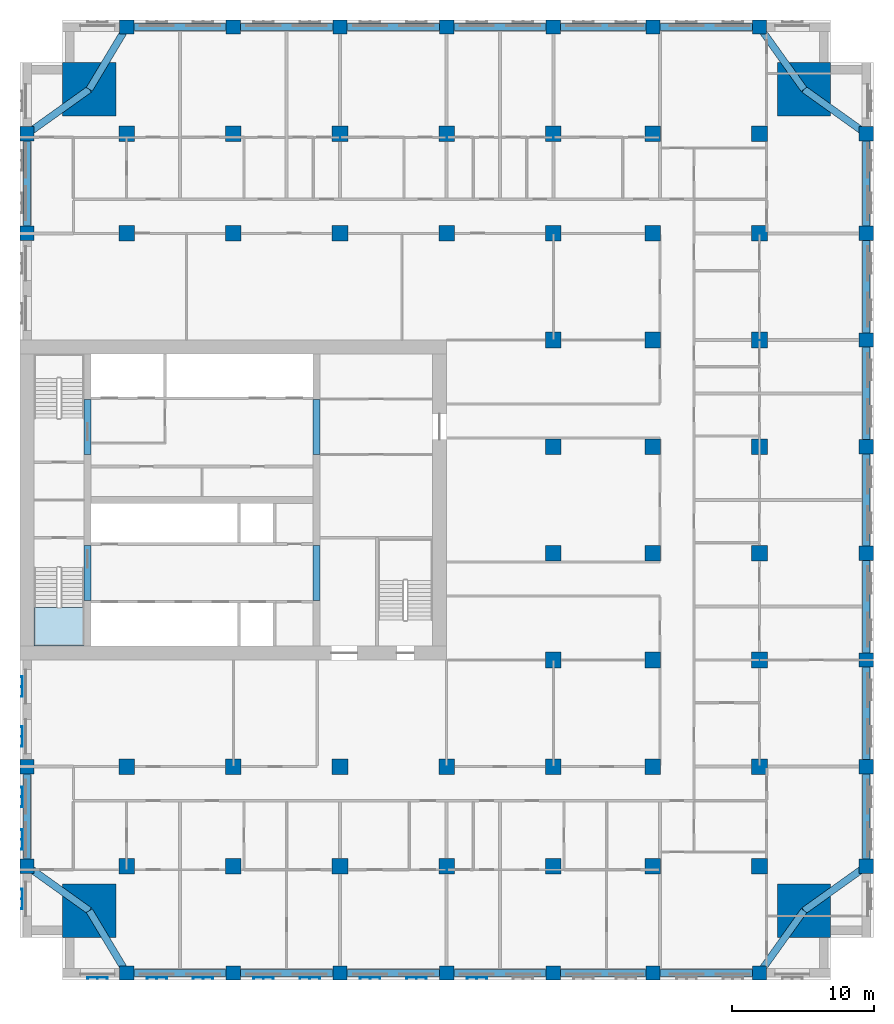
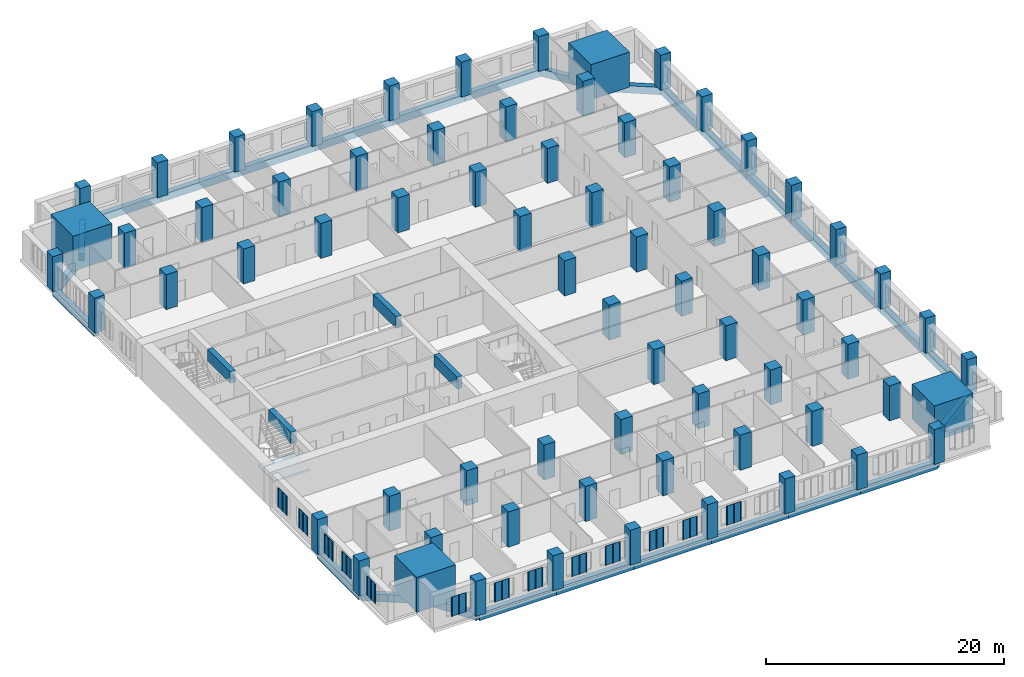
# One storey, part 1 of 14: 70 columns, 33 beams, 13 plates, 1 slab, 1 element without a shape of its own.
"""IFC4 building model written with IfcOpenShell, lengths in metres."""

from ifc_helpers import new_model, si_unit, direction, frame, origin, origin_2d, place, context, subcontext, project, spatial, polyline, rectangle, outline, extrude, material, layer, layer_set, material_profile, profile_set, type_object, element, aggregate, save


model = new_model("IFC4")

# Units and contexts
model_context = context("Model", 3, precision=1e-05, world=origin(), true_north=direction((0.0, 1.0)))
body_context = subcontext(model_context, "Body", "Model", "MODEL_VIEW")
ifc_project = project(units=[si_unit("LENGTHUNIT", "METRE"), si_unit("AREAUNIT", "SQUARE_METRE"), si_unit("VOLUMEUNIT", "CUBIC_METRE"), si_unit("PLANEANGLEUNIT", "RADIAN"), si_unit("MASSUNIT", "GRAM", prefix="KILO")], contexts=[model_context])

# Site, building, storey
site_placement = place(None, origin())
site = spatial("IfcSite", under=ifc_project, at=site_placement, CompositionType="ELEMENT")
building_placement = place(site_placement, origin())
building = spatial("IfcBuilding", under=site, at=building_placement, Name="Tamorin Gate", CompositionType="ELEMENT")
storey_placement = place(building_placement, frame((0.0, 0.0, 107.89990234375)))
storey = spatial("IfcBuildingStorey", under=building, at=storey_placement, Name="L26", CompositionType="ELEMENT", Elevation=107.89990234375)

# Columns
ifc_material_1 = material(Name="Concrete C80/95", Category="concrete")
ifc_material_profile_1 = material_profile(ifc_material_1, rectangle(XDim=1.0, YDim=1.0, at=origin_2d()), Name="RC 1000x1000")
ifc_profile_set_1 = profile_set([ifc_material_profile_1], Name="Concrete C80/95")
column_type_1 = type_object("IfcColumnType", Name="RC column 1000x1000 C80/95", PredefinedType="COLUMN", material=ifc_profile_set_1)
for number, where, z_axis, x_axis, name in (
    (1, (30.5, 45.5, 0.0), (0.0, 0.0, 1.0), (1.0, 0.0, 0.0), "Ring column L26"),
    (2, (30.5, 52.5, 0.0), (0.0, 0.0, 1.0), (1.0, 0.0, 0.0), "Ring column L26"),
    (3, (30.5, 90.0, 0.0), (0.0, 0.0, 1.0), (1.0, 0.0, 0.0), "Ring column L26"),
    (4, (30.5, 97.0, 0.0), (0.0, 0.0, 1.0), (1.0, 0.0, 0.0), "Ring column L26"),
    (5, (37.5, 38.0, 0.0), (0.0, 0.0, 1.0), (1.0, 0.0, 0.0), "Ring column L26"),
    (6, (37.5, 104.5, 0.0), (0.0, 0.0, 1.0), (1.0, 0.0, 0.0), "Ring column L26"),
    (7, (45.0, 38.0, 0.0), (0.0, 0.0, 1.0), (1.0, 0.0, 0.0), "Ring column L26"),
    (8, (45.0, 104.5, 0.0), (0.0, 0.0, 1.0), (1.0, 0.0, 0.0), "Ring column L26"),
    (9, (52.5, 38.0, 0.0), (0.0, 0.0, 1.0), (1.0, 0.0, 0.0), "Ring column L26"),
    (10, (52.5, 104.5, 0.0), (0.0, 0.0, 1.0), (1.0, 0.0, 0.0), "Ring column L26"),
    (11, (60.0, 38.0, 0.0), (0.0, 0.0, 1.0), (1.0, 0.0, 0.0), "Ring column L26"),
    (12, (60.0, 104.5, 0.0), (0.0, 0.0, 1.0), (1.0, 0.0, 0.0), "Ring column L26"),
    (13, (67.5, 38.0, 0.0), (0.0, 0.0, 1.0), (1.0, 0.0, 0.0), "Ring column L26"),
    (14, (67.5, 104.5, 0.0), (0.0, 0.0, 1.0), (1.0, 0.0, 0.0), "Ring column L26"),
    (15, (74.5, 38.0, 0.0), (0.0, 0.0, 1.0), (1.0, 0.0, 0.0), "Ring column L26"),
    (16, (74.5, 104.5, 0.0), (0.0, 0.0, 1.0), (1.0, 0.0, 0.0), "Ring column L26"),
    (17, (82.0, 38.0, 0.0), (0.0, 0.0, 1.0), (1.0, 0.0, 0.0), "Ring column L26"),
    (18, (82.0, 104.5, 0.0), (0.0, 0.0, 1.0), (1.0, 0.0, 0.0), "Ring column L26"),
    (19, (89.5, 45.5, 0.0), (0.0, 0.0, 1.0), (1.0, 0.0, 0.0), "Ring column L26"),
    (20, (89.5, 52.5, 0.0), (0.0, 0.0, 1.0), (1.0, 0.0, 0.0), "Ring column L26"),
    (21, (89.5, 60.0, 0.0), (0.0, 0.0, 1.0), (1.0, 0.0, 0.0), "Ring column L26"),
    (22, (89.5, 67.5, 0.0), (0.0, 0.0, 1.0), (1.0, 0.0, 0.0), "Ring column L26"),
    (23, (89.5, 75.0, 0.0), (0.0, 0.0, 1.0), (1.0, 0.0, 0.0), "Ring column L26"),
    (24, (89.5, 82.5, 0.0), (0.0, 0.0, 1.0), (1.0, 0.0, 0.0), "Ring column L26"),
    (25, (89.5, 90.0, 0.0), (0.0, 0.0, 1.0), (1.0, 0.0, 0.0), "Ring column L26"),
    (26, (89.5, 97.0, 0.0), (0.0, 0.0, 1.0), (1.0, 0.0, 0.0), "Ring column L26"),
):
    element("IfcColumn", number, at=place(storey_placement, frame(where, z_axis=z_axis, x_axis=x_axis)), inside=storey, type_object=column_type_1, Name=name, PredefinedType="COLUMN", context=body_context, shape_type="SweptSolid", body=[
        extrude(rectangle(XDim=1.0, YDim=1.0, at=origin_2d()), origin(), (0.0, 0.0, 1.0), 3.60009765625),
    ])
ifc_material_profile_2 = material_profile(ifc_material_1, rectangle(XDim=1.10009765625, YDim=1.10009765625, at=origin_2d()), Name="RC 1100x1100")
ifc_profile_set_2 = profile_set([ifc_material_profile_2], Name="Concrete C80/95")
column_type_2 = type_object("IfcColumnType", Name="RC column 1100x1100 C80/95", PredefinedType="COLUMN", material=ifc_profile_set_2)
for number, where, z_axis, x_axis, name in (
    (27, (37.5, 45.5, 0.0), (0.0, 0.0, 1.0), (1.0, 0.0, 0.0), "Interior column L26"),
    (28, (37.5, 52.5, 0.0), (0.0, 0.0, 1.0), (1.0, 0.0, 0.0), "Interior column L26"),
    (29, (37.5, 90.0, 0.0), (0.0, 0.0, 1.0), (1.0, 0.0, 0.0), "Interior column L26"),
    (30, (37.5, 97.0, 0.0), (0.0, 0.0, 1.0), (1.0, 0.0, 0.0), "Interior column L26"),
    (31, (45.0, 45.5, 0.0), (0.0, 0.0, 1.0), (1.0, 0.0, 0.0), "Interior column L26"),
    (32, (45.0, 52.5, 0.0), (0.0, 0.0, 1.0), (1.0, 0.0, 0.0), "Interior column L26"),
    (33, (45.0, 90.0, 0.0), (0.0, 0.0, 1.0), (1.0, 0.0, 0.0), "Interior column L26"),
    (34, (45.0, 97.0, 0.0), (0.0, 0.0, 1.0), (1.0, 0.0, 0.0), "Interior column L26"),
    (35, (52.5, 45.5, 0.0), (0.0, 0.0, 1.0), (1.0, 0.0, 0.0), "Interior column L26"),
    (36, (52.5, 52.5, 0.0), (0.0, 0.0, 1.0), (1.0, 0.0, 0.0), "Interior column L26"),
    (37, (52.5, 90.0, 0.0), (0.0, 0.0, 1.0), (1.0, 0.0, 0.0), "Interior column L26"),
    (38, (52.5, 97.0, 0.0), (0.0, 0.0, 1.0), (1.0, 0.0, 0.0), "Interior column L26"),
    (39, (60.0, 45.5, 0.0), (0.0, 0.0, 1.0), (1.0, 0.0, 0.0), "Interior column L26"),
    (40, (60.0, 52.5, 0.0), (0.0, 0.0, 1.0), (1.0, 0.0, 0.0), "Interior column L26"),
    (41, (60.0, 90.0, 0.0), (0.0, 0.0, 1.0), (1.0, 0.0, 0.0), "Interior column L26"),
    (42, (60.0, 97.0, 0.0), (0.0, 0.0, 1.0), (1.0, 0.0, 0.0), "Interior column L26"),
    (43, (67.5, 45.5, 0.0), (0.0, 0.0, 1.0), (1.0, 0.0, 0.0), "Interior column L26"),
    (44, (67.5, 52.5, 0.0), (0.0, 0.0, 1.0), (1.0, 0.0, 0.0), "Interior column L26"),
    (45, (67.5, 60.0, 0.0), (0.0, 0.0, 1.0), (1.0, 0.0, 0.0), "Interior column L26"),
    (46, (67.5, 67.5, 0.0), (0.0, 0.0, 1.0), (1.0, 0.0, 0.0), "Interior column L26"),
    (47, (67.5, 75.0, 0.0), (0.0, 0.0, 1.0), (1.0, 0.0, 0.0), "Interior column L26"),
    (48, (67.5, 82.5, 0.0), (0.0, 0.0, 1.0), (1.0, 0.0, 0.0), "Interior column L26"),
    (49, (67.5, 90.0, 0.0), (0.0, 0.0, 1.0), (1.0, 0.0, 0.0), "Interior column L26"),
    (50, (67.5, 97.0, 0.0), (0.0, 0.0, 1.0), (1.0, 0.0, 0.0), "Interior column L26"),
    (51, (74.5, 45.5, 0.0), (0.0, 0.0, 1.0), (1.0, 0.0, 0.0), "Interior column L26"),
    (52, (74.5, 52.5, 0.0), (0.0, 0.0, 1.0), (1.0, 0.0, 0.0), "Interior column L26"),
    (53, (74.5, 60.0, 0.0), (0.0, 0.0, 1.0), (1.0, 0.0, 0.0), "Interior column L26"),
    (54, (74.5, 67.5, 0.0), (0.0, 0.0, 1.0), (1.0, 0.0, 0.0), "Interior column L26"),
    (55, (74.5, 75.0, 0.0), (0.0, 0.0, 1.0), (1.0, 0.0, 0.0), "Interior column L26"),
    (56, (74.5, 82.5, 0.0), (0.0, 0.0, 1.0), (1.0, 0.0, 0.0), "Interior column L26"),
    (57, (74.5, 90.0, 0.0), (0.0, 0.0, 1.0), (1.0, 0.0, 0.0), "Interior column L26"),
    (58, (74.5, 97.0, 0.0), (0.0, 0.0, 1.0), (1.0, 0.0, 0.0), "Interior column L26"),
    (59, (82.0, 45.5, 0.0), (0.0, 0.0, 1.0), (1.0, 0.0, 0.0), "Interior column L26"),
    (60, (82.0, 52.5, 0.0), (0.0, 0.0, 1.0), (1.0, 0.0, 0.0), "Interior column L26"),
    (61, (82.0, 60.0, 0.0), (0.0, 0.0, 1.0), (1.0, 0.0, 0.0), "Interior column L26"),
    (62, (82.0, 67.5, 0.0), (0.0, 0.0, 1.0), (1.0, 0.0, 0.0), "Interior column L26"),
    (63, (82.0, 75.0, 0.0), (0.0, 0.0, 1.0), (1.0, 0.0, 0.0), "Interior column L26"),
    (64, (82.0, 82.5, 0.0), (0.0, 0.0, 1.0), (1.0, 0.0, 0.0), "Interior column L26"),
    (65, (82.0, 90.0, 0.0), (0.0, 0.0, 1.0), (1.0, 0.0, 0.0), "Interior column L26"),
    (66, (82.0, 97.0, 0.0), (0.0, 0.0, 1.0), (1.0, 0.0, 0.0), "Interior column L26"),
):
    element("IfcColumn", number, at=place(storey_placement, frame(where, z_axis=z_axis, x_axis=x_axis)), inside=storey, type_object=column_type_2, Name=name, PredefinedType="COLUMN", context=body_context, shape_type="SweptSolid", body=[
        extrude(rectangle(XDim=1.10009765625, YDim=1.10009765625, at=origin_2d()), origin(), (0.0, 0.0, 1.0), 3.60009765625),
    ])
ifc_material_profile_3 = material_profile(ifc_material_1, rectangle(XDim=3.75, YDim=3.75, at=origin_2d()), Name="RC 3750x3750")
ifc_profile_set_3 = profile_set([ifc_material_profile_3], Name="Concrete C80/95")
column_type_3 = type_object("IfcColumnType", Name="RC column 3750x3750 C80/95", PredefinedType="COLUMN", material=ifc_profile_set_3)
for number, where, z_axis, x_axis, name in (
    (67, (34.875, 42.375, 0.0), (0.0, 0.0, 1.0), (1.0, 0.0, 0.0), "Mega column SW L26"),
    (68, (85.125, 42.375, 0.0), (0.0, 0.0, 1.0), (1.0, 0.0, 0.0), "Mega column SE L26"),
    (69, (34.875, 100.125, 0.0), (0.0, 0.0, 1.0), (1.0, 0.0, 0.0), "Mega column NW L26"),
    (70, (85.125, 100.125, 0.0), (0.0, 0.0, 1.0), (1.0, 0.0, 0.0), "Mega column NE L26"),
):
    element("IfcColumn", number, at=place(storey_placement, frame(where, z_axis=z_axis, x_axis=x_axis)), inside=storey, type_object=column_type_3, Name=name, PredefinedType="COLUMN", context=body_context, shape_type="SweptSolid", body=[
        extrude(rectangle(XDim=3.75, YDim=3.75, at=origin_2d()), origin(), (0.0, 0.0, 1.0), 3.60009765625),
    ])

# Beams
ifc_material_profile_4 = material_profile(ifc_material_1, rectangle(XDim=0.5, YDim=1.199951171875, at=origin_2d()), Name="RC 500x1200")
ifc_profile_set_4 = profile_set([ifc_material_profile_4], Name="Concrete C80/95")
beam_type_1 = type_object("IfcBeamType", Name="RC coupling beam 500x1200 C80/95", PredefinedType="BEAM", material=ifc_profile_set_4)
for number, where, z_axis, x_axis, name in (
    (71, (34.75, 64.199951171875, 3.0), (0.0, 1.0, 0.0), (-1.0, 0.0, 0.0), "Coupling beam L26"),
    (72, (34.75, 74.449951171875, 3.0), (0.0, 1.0, 0.0), (-1.0, 0.0, 0.0), "Coupling beam L26"),
    (73, (50.85009765625, 64.199951171875, 3.0), (0.0, 1.0, 0.0), (-1.0, 0.0, 0.0), "Coupling beam L26"),
    (74, (50.85009765625, 74.449951171875, 3.0), (0.0, 1.0, 0.0), (-1.0, 0.0, 0.0), "Coupling beam L26"),
):
    element("IfcBeam", number, at=place(storey_placement, frame(where, z_axis=z_axis, x_axis=x_axis)), inside=storey, type_object=beam_type_1, Name=name, PredefinedType="BEAM", context=body_context, shape_type="SweptSolid", body=[
        extrude(rectangle(XDim=0.5, YDim=1.199951171875, at=origin_2d()), origin(), (0.0, 0.0, 1.0), 3.85009765625),
    ])
ifc_material_2 = material(Name="Concrete C50/60", Category="concrete")
ifc_material_profile_5 = material_profile(ifc_material_2, rectangle(XDim=0.5, YDim=0.75, at=origin_2d()), Name="RC 500x750")
ifc_profile_set_5 = profile_set([ifc_material_profile_5], Name="Concrete C50/60")
beam_type_2 = type_object("IfcBeamType", Name="RC spandrel 500x750 C50/60", PredefinedType="BEAM", material=ifc_profile_set_5)
for number, where, z_axis, x_axis, name in (
    (75, (37.5, 38.0, -0.375), (1.0, 0.0, 0.0), (0.0, 1.0, 0.0), "Spandrel beam L26"),
    (76, (45.0, 38.0, -0.375), (1.0, 0.0, 0.0), (0.0, 1.0, 0.0), "Spandrel beam L26"),
    (77, (52.5, 38.0, -0.375), (1.0, 0.0, 0.0), (0.0, 1.0, 0.0), "Spandrel beam L26"),
    (78, (60.0, 38.0, -0.375), (1.0, 0.0, 0.0), (0.0, 1.0, 0.0), "Spandrel beam L26"),
):
    element("IfcBeam", number, at=place(storey_placement, frame(where, z_axis=z_axis, x_axis=x_axis)), inside=storey, type_object=beam_type_2, Name=name, PredefinedType="BEAM", context=body_context, shape_type="SweptSolid", body=[
        extrude(rectangle(XDim=0.5, YDim=0.75, at=origin_2d()), origin(), (0.0, 0.0, 1.0), 7.5),
    ])
beam_1_placement = place(storey_placement, frame((67.5, 38.0, -0.375), z_axis=(1.0, 0.0, 0.0), x_axis=(0.0, 1.0, 0.0)))
element("IfcBeam", 79, at=beam_1_placement, inside=storey, type_object=beam_type_2, Name="Spandrel beam L26", PredefinedType="BEAM", context=body_context, shape_type="SweptSolid", body=[
    extrude(rectangle(XDim=0.5, YDim=0.75, at=origin_2d()), origin(), (0.0, 0.0, 1.0), 7.0),
])
beam_2_placement = place(storey_placement, frame((74.5, 38.0, -0.375), z_axis=(1.0, 0.0, 0.0), x_axis=(0.0, 1.0, 0.0)))
element("IfcBeam", 80, at=beam_2_placement, inside=storey, type_object=beam_type_2, Name="Spandrel beam L26", PredefinedType="BEAM", context=body_context, shape_type="SweptSolid", body=[
    extrude(rectangle(XDim=0.5, YDim=0.75, at=origin_2d()), origin(), (0.0, 0.0, 1.0), 7.5),
])
beam_3_placement = place(storey_placement, frame((89.5, 45.5, -0.375), z_axis=(0.0, 1.0, 0.0), x_axis=(-1.0, 0.0, 0.0)))
element("IfcBeam", 81, at=beam_3_placement, inside=storey, type_object=beam_type_2, Name="Spandrel beam L26", PredefinedType="BEAM", context=body_context, shape_type="SweptSolid", body=[
    extrude(rectangle(XDim=0.5, YDim=0.75, at=origin_2d()), origin(), (0.0, 0.0, 1.0), 7.0),
])
for number, where, z_axis, x_axis, name in (
    (82, (89.5, 52.5, -0.375), (0.0, 1.0, 0.0), (-1.0, 0.0, 0.0), "Spandrel beam L26"),
    (83, (89.5, 60.0, -0.375), (0.0, 1.0, 0.0), (-1.0, 0.0, 0.0), "Spandrel beam L26"),
    (84, (89.5, 67.5, -0.375), (0.0, 1.0, 0.0), (-1.0, 0.0, 0.0), "Spandrel beam L26"),
    (85, (89.5, 75.0, -0.375), (0.0, 1.0, 0.0), (-1.0, 0.0, 0.0), "Spandrel beam L26"),
    (86, (89.5, 82.5, -0.375), (0.0, 1.0, 0.0), (-1.0, 0.0, 0.0), "Spandrel beam L26"),
):
    element("IfcBeam", number, at=place(storey_placement, frame(where, z_axis=z_axis, x_axis=x_axis)), inside=storey, type_object=beam_type_2, Name=name, PredefinedType="BEAM", context=body_context, shape_type="SweptSolid", body=[
        extrude(rectangle(XDim=0.5, YDim=0.75, at=origin_2d()), origin(), (0.0, 0.0, 1.0), 7.5),
    ])
beam_4_placement = place(storey_placement, frame((89.5, 90.0, -0.375), z_axis=(0.0, 1.0, 0.0), x_axis=(-1.0, 0.0, 0.0)))
element("IfcBeam", 87, at=beam_4_placement, inside=storey, type_object=beam_type_2, Name="Spandrel beam L26", PredefinedType="BEAM", context=body_context, shape_type="SweptSolid", body=[
    extrude(rectangle(XDim=0.5, YDim=0.75, at=origin_2d()), origin(), (0.0, 0.0, 1.0), 7.0),
])
beam_5_placement = place(storey_placement, frame((82.0, 104.5, -0.375), z_axis=(-1.0, 0.0, 0.0), x_axis=(0.0, -1.0, 0.0)))
element("IfcBeam", 88, at=beam_5_placement, inside=storey, type_object=beam_type_2, Name="Spandrel beam L26", PredefinedType="BEAM", context=body_context, shape_type="SweptSolid", body=[
    extrude(rectangle(XDim=0.5, YDim=0.75, at=origin_2d()), origin(), (0.0, 0.0, 1.0), 7.5),
])
beam_6_placement = place(storey_placement, frame((74.5, 104.5, -0.375), z_axis=(-1.0, 0.0, 0.0), x_axis=(0.0, -1.0, 0.0)))
element("IfcBeam", 89, at=beam_6_placement, inside=storey, type_object=beam_type_2, Name="Spandrel beam L26", PredefinedType="BEAM", context=body_context, shape_type="SweptSolid", body=[
    extrude(rectangle(XDim=0.5, YDim=0.75, at=origin_2d()), origin(), (0.0, 0.0, 1.0), 7.0),
])
for number, where, z_axis, x_axis, name in (
    (90, (67.5, 104.5, -0.375), (-1.0, 0.0, 0.0), (0.0, -1.0, 0.0), "Spandrel beam L26"),
    (91, (60.0, 104.5, -0.375), (-1.0, 0.0, 0.0), (0.0, -1.0, 0.0), "Spandrel beam L26"),
    (92, (52.5, 104.5, -0.375), (-1.0, 0.0, 0.0), (0.0, -1.0, 0.0), "Spandrel beam L26"),
    (93, (45.0, 104.5, -0.375), (-1.0, 0.0, 0.0), (0.0, -1.0, 0.0), "Spandrel beam L26"),
):
    element("IfcBeam", number, at=place(storey_placement, frame(where, z_axis=z_axis, x_axis=x_axis)), inside=storey, type_object=beam_type_2, Name=name, PredefinedType="BEAM", context=body_context, shape_type="SweptSolid", body=[
        extrude(rectangle(XDim=0.5, YDim=0.75, at=origin_2d()), origin(), (0.0, 0.0, 1.0), 7.5),
    ])
for number, where, z_axis, x_axis, name in (
    (94, (30.5, 97.0, -0.375), (0.0, -1.0, 0.0), (1.0, 0.0, 0.0), "Spandrel beam L26"),
    (95, (30.5, 52.5, -0.375), (0.0, -1.0, 0.0), (1.0, 0.0, 0.0), "Spandrel beam L26"),
):
    element("IfcBeam", number, at=place(storey_placement, frame(where, z_axis=z_axis, x_axis=x_axis)), inside=storey, type_object=beam_type_2, Name=name, PredefinedType="BEAM", context=body_context, shape_type="SweptSolid", body=[
        extrude(rectangle(XDim=0.5, YDim=0.75, at=origin_2d()), origin(), (0.0, 0.0, 1.0), 7.0),
    ])
beam_7_placement = place(storey_placement, frame((34.875, 42.375, -0.375), z_axis=(0.514495755428, -0.857492925713, 0.0), x_axis=(0.857492925713, 0.514495755428, 0.0)))
element("IfcBeam", 96, at=beam_7_placement, inside=storey, type_object=beam_type_2, Name="Corner tie beam L26", PredefinedType="BEAM", context=body_context, shape_type="SweptSolid", body=[
    extrude(rectangle(XDim=0.5, YDim=0.75, at=origin_2d()), origin(), (0.0, 0.0, 1.0), 5.10205078125),
])
for number, where, z_axis, x_axis, name in (
    (97, (34.875, 42.375, -0.375), (-0.813733471207, 0.581238193719, 0.0), (-0.581238193719, -0.813733471207, 0.0), "Corner tie beam L26"),
    (98, (85.125, 42.375, -0.375), (-0.581238193719, -0.813733471207, 0.0), (0.813733471207, -0.581238193719, 0.0), "Corner tie beam L26"),
    (99, (85.125, 42.375, -0.375), (0.813733471207, 0.581238193719, 0.0), (-0.581238193719, 0.813733471207, 0.0), "Corner tie beam L26"),
):
    element("IfcBeam", number, at=place(storey_placement, frame(where, z_axis=z_axis, x_axis=x_axis)), inside=storey, type_object=beam_type_2, Name=name, PredefinedType="BEAM", context=body_context, shape_type="SweptSolid", body=[
        extrude(rectangle(XDim=0.5, YDim=0.75, at=origin_2d()), origin(), (0.0, 0.0, 1.0), 5.37646484375),
    ])
beam_8_placement = place(storey_placement, frame((34.875, 100.125, -0.375), z_axis=(0.514495755428, 0.857492925713, 0.0), x_axis=(-0.857492925713, 0.514495755428, 0.0)))
element("IfcBeam", 100, at=beam_8_placement, inside=storey, type_object=beam_type_2, Name="Corner tie beam L26", PredefinedType="BEAM", context=body_context, shape_type="SweptSolid", body=[
    extrude(rectangle(XDim=0.5, YDim=0.75, at=origin_2d()), origin(), (0.0, 0.0, 1.0), 5.10205078125),
])
for number, where, z_axis, x_axis, name in (
    (101, (34.875, 100.125, -0.375), (-0.813733471207, -0.581238193719, 0.0), (0.581238193719, -0.813733471207, 0.0), "Corner tie beam L26"),
    (102, (85.125, 100.125, -0.375), (-0.581238193719, 0.813733471207, 0.0), (-0.813733471207, -0.581238193719, 0.0), "Corner tie beam L26"),
    (103, (85.125, 100.125, -0.375), (0.813733471207, -0.581238193719, 0.0), (0.581238193719, 0.813733471207, 0.0), "Corner tie beam L26"),
):
    element("IfcBeam", number, at=place(storey_placement, frame(where, z_axis=z_axis, x_axis=x_axis)), inside=storey, type_object=beam_type_2, Name=name, PredefinedType="BEAM", context=body_context, shape_type="SweptSolid", body=[
        extrude(rectangle(XDim=0.5, YDim=0.75, at=origin_2d()), origin(), (0.0, 0.0, 1.0), 5.37646484375),
    ])

# Stair, slab
ifc_material_3 = material(Name="Concrete C40/50", Category="concrete")
stair_type = type_object("IfcStairType", Name="Exit stair", PredefinedType="HALF_TURN_STAIR", material=ifc_material_3)
stair_placement = place(storey_placement, origin())
stair = element("IfcStair", 104, at=stair_placement, inside=storey, type_object=stair_type, Name="L26 stair ST1", PredefinedType="HALF_TURN_STAIR")
ifc_layer_1 = layer(ifc_material_3, 0.199951171875)
ifc_layer_set_1 = layer_set([ifc_layer_1], Name="Exit stair landing 200")
slab_type = type_object("IfcSlabType", Name="Exit stair landing 200", PredefinedType="LANDING", material=ifc_layer_set_1)
slab_placement = place(storey_placement, frame((0.0, 0.0, 1.60009765625)))
slab = element("IfcSlab", 105, at=slab_placement, type_object=slab_type, Name="ST1 landing 1", PredefinedType="LANDING", context=body_context, shape_type="SweptSolid", body=[
    extrude(outline(polyline([(31.0, 63.699951171875), (31.0, 61.0), (34.5, 61.0), (34.5, 63.699951171875), (31.0, 63.699951171875)])), origin(), (0.0, 0.0, 1.0), 0.199951171875),
])
aggregate(stair, [slab])

# Plates
ifc_material_4 = material(Name="Perforated pale aluminium sheet", Category="aluminium")
ifc_layer_2 = layer(ifc_material_4, 0.0400390625)
ifc_layer_set_2 = layer_set([ifc_layer_2], Name="Pale metal solar screen 1440")
plate_type = type_object("IfcPlateType", Name="Pale metal solar screen 1440", PredefinedType="SHEET", material=ifc_layer_set_2)
plate_1_placement = place(storey_placement, frame((0.0, 0.0, 0.710205078125)))
element("IfcPlate", 106, at=plate_1_placement, inside=storey, type_object=plate_type, Name="Perforated solar screen", PredefinedType="SHEET", context=body_context, shape_type="SweptSolid", body=[
    extrude(outline(polyline([(34.72998046875, 37.659912109375), (34.72998046875, 37.699951171875), (34.7900390625, 37.699951171875), (35.419921875, 37.699951171875), (35.47998046875, 37.699951171875), (36.110107421875, 37.699951171875), (36.169921875, 37.699951171875), (36.169921875, 37.659912109375), (36.169921875, 37.60009765625), (36.110107421875, 37.60009765625), (36.110107421875, 37.659912109375), (35.47998046875, 37.659912109375), (35.47998046875, 37.60009765625), (35.419921875, 37.60009765625), (35.419921875, 37.659912109375), (34.7900390625, 37.659912109375), (34.7900390625, 37.60009765625), (34.72998046875, 37.60009765625), (34.72998046875, 37.659912109375)])), origin(), (0.0, 0.0, 1.0), 1.97998046875),
])
plate_2_placement = place(storey_placement, frame((0.0, 0.0, 0.710205078125)))
element("IfcPlate", 107, at=plate_2_placement, inside=storey, type_object=plate_type, Name="Perforated solar screen", PredefinedType="SHEET", context=body_context, shape_type="SweptSolid", body=[
    extrude(outline(polyline([(38.905029296875, 37.659912109375), (38.905029296875, 37.699951171875), (38.965087890625, 37.699951171875), (39.594970703125, 37.699951171875), (39.655029296875, 37.699951171875), (40.284912109375, 37.699951171875), (40.344970703125, 37.699951171875), (40.344970703125, 37.699951171875), (40.344970703125, 37.659912109375), (40.344970703125, 37.659912109375), (40.344970703125, 37.60009765625), (40.284912109375, 37.60009765625), (40.284912109375, 37.659912109375), (39.655029296875, 37.659912109375), (39.655029296875, 37.60009765625), (39.594970703125, 37.60009765625), (39.594970703125, 37.659912109375), (38.965087890625, 37.659912109375), (38.965087890625, 37.60009765625), (38.905029296875, 37.60009765625), (38.905029296875, 37.659912109375)])), origin(), (0.0, 0.0, 1.0), 1.97998046875),
])
plate_3_placement = place(storey_placement, frame((0.0, 0.0, 0.710205078125)))
element("IfcPlate", 108, at=plate_3_placement, inside=storey, type_object=plate_type, Name="Perforated solar screen", PredefinedType="SHEET", context=body_context, shape_type="SweptSolid", body=[
    extrude(outline(polyline([(42.155029296875, 37.659912109375), (42.155029296875, 37.699951171875), (42.215087890625, 37.699951171875), (42.844970703125, 37.699951171875), (42.905029296875, 37.699951171875), (43.534912109375, 37.699951171875), (43.594970703125, 37.699951171875), (43.594970703125, 37.659912109375), (43.594970703125, 37.60009765625), (43.534912109375, 37.60009765625), (43.534912109375, 37.659912109375), (42.905029296875, 37.659912109375), (42.905029296875, 37.60009765625), (42.844970703125, 37.60009765625), (42.844970703125, 37.659912109375), (42.215087890625, 37.659912109375), (42.215087890625, 37.60009765625), (42.155029296875, 37.60009765625), (42.155029296875, 37.659912109375)])), origin(), (0.0, 0.0, 1.0), 1.97998046875),
])
plate_4_placement = place(storey_placement, frame((0.0, 0.0, 0.710205078125)))
element("IfcPlate", 109, at=plate_4_placement, inside=storey, type_object=plate_type, Name="Perforated solar screen", PredefinedType="SHEET", context=body_context, shape_type="SweptSolid", body=[
    extrude(outline(polyline([(46.405029296875, 37.659912109375), (46.405029296875, 37.699951171875), (46.465087890625, 37.699951171875), (47.094970703125, 37.699951171875), (47.155029296875, 37.699951171875), (47.784912109375, 37.699951171875), (47.844970703125, 37.699951171875), (47.844970703125, 37.659912109375), (47.844970703125, 37.60009765625), (47.784912109375, 37.60009765625), (47.784912109375, 37.659912109375), (47.155029296875, 37.659912109375), (47.155029296875, 37.60009765625), (47.094970703125, 37.60009765625), (47.094970703125, 37.659912109375), (46.465087890625, 37.659912109375), (46.465087890625, 37.60009765625), (46.405029296875, 37.60009765625), (46.405029296875, 37.659912109375)])), origin(), (0.0, 0.0, 1.0), 1.97998046875),
])
plate_5_placement = place(storey_placement, frame((0.0, 0.0, 0.710205078125)))
element("IfcPlate", 110, at=plate_5_placement, inside=storey, type_object=plate_type, Name="Perforated solar screen", PredefinedType="SHEET", context=body_context, shape_type="SweptSolid", body=[
    extrude(outline(polyline([(49.655029296875, 37.659912109375), (49.655029296875, 37.699951171875), (49.715087890625, 37.699951171875), (50.344970703125, 37.699951171875), (50.405029296875, 37.699951171875), (51.034912109375, 37.699951171875), (51.094970703125, 37.699951171875), (51.094970703125, 37.659912109375), (51.094970703125, 37.60009765625), (51.034912109375, 37.60009765625), (51.034912109375, 37.659912109375), (50.405029296875, 37.659912109375), (50.405029296875, 37.60009765625), (50.344970703125, 37.60009765625), (50.344970703125, 37.659912109375), (49.715087890625, 37.659912109375), (49.715087890625, 37.60009765625), (49.655029296875, 37.60009765625), (49.655029296875, 37.659912109375)])), origin(), (0.0, 0.0, 1.0), 1.97998046875),
])
plate_6_placement = place(storey_placement, frame((0.0, 0.0, 0.710205078125)))
element("IfcPlate", 111, at=plate_6_placement, inside=storey, type_object=plate_type, Name="Perforated solar screen", PredefinedType="SHEET", context=body_context, shape_type="SweptSolid", body=[
    extrude(outline(polyline([(53.905029296875, 37.659912109375), (53.905029296875, 37.699951171875), (53.965087890625, 37.699951171875), (54.594970703125, 37.699951171875), (54.655029296875, 37.699951171875), (55.284912109375, 37.699951171875), (55.344970703125, 37.699951171875), (55.344970703125, 37.659912109375), (55.344970703125, 37.60009765625), (55.284912109375, 37.60009765625), (55.284912109375, 37.659912109375), (54.655029296875, 37.659912109375), (54.655029296875, 37.60009765625), (54.594970703125, 37.60009765625), (54.594970703125, 37.659912109375), (53.965087890625, 37.659912109375), (53.965087890625, 37.60009765625), (53.905029296875, 37.60009765625), (53.905029296875, 37.659912109375)])), origin(), (0.0, 0.0, 1.0), 1.97998046875),
])
plate_7_placement = place(storey_placement, frame((0.0, 0.0, 0.710205078125)))
element("IfcPlate", 112, at=plate_7_placement, inside=storey, type_object=plate_type, Name="Perforated solar screen", PredefinedType="SHEET", context=body_context, shape_type="SweptSolid", body=[
    extrude(outline(polyline([(57.155029296875, 37.659912109375), (57.155029296875, 37.699951171875), (57.215087890625, 37.699951171875), (57.844970703125, 37.699951171875), (57.905029296875, 37.699951171875), (58.534912109375, 37.699951171875), (58.594970703125, 37.699951171875), (58.594970703125, 37.659912109375), (58.594970703125, 37.60009765625), (58.534912109375, 37.60009765625), (58.534912109375, 37.659912109375), (57.905029296875, 37.659912109375), (57.905029296875, 37.60009765625), (57.844970703125, 37.60009765625), (57.844970703125, 37.659912109375), (57.215087890625, 37.659912109375), (57.215087890625, 37.60009765625), (57.155029296875, 37.60009765625), (57.155029296875, 37.659912109375)])), origin(), (0.0, 0.0, 1.0), 1.97998046875),
])
plate_8_placement = place(storey_placement, frame((0.0, 0.0, 0.710205078125)))
element("IfcPlate", 113, at=plate_8_placement, inside=storey, type_object=plate_type, Name="Perforated solar screen", PredefinedType="SHEET", context=body_context, shape_type="SweptSolid", body=[
    extrude(outline(polyline([(61.405029296875, 37.659912109375), (61.405029296875, 37.699951171875), (61.465087890625, 37.699951171875), (62.094970703125, 37.699951171875), (62.155029296875, 37.699951171875), (62.784912109375, 37.699951171875), (62.844970703125, 37.699951171875), (62.844970703125, 37.659912109375), (62.844970703125, 37.60009765625), (62.784912109375, 37.60009765625), (62.784912109375, 37.659912109375), (62.155029296875, 37.659912109375), (62.155029296875, 37.60009765625), (62.094970703125, 37.60009765625), (62.094970703125, 37.659912109375), (61.465087890625, 37.659912109375), (61.465087890625, 37.60009765625), (61.405029296875, 37.60009765625), (61.405029296875, 37.659912109375)])), origin(), (0.0, 0.0, 1.0), 1.97998046875),
])
plate_9_placement = place(storey_placement, frame((0.0, 0.0, 0.710205078125)))
element("IfcPlate", 114, at=plate_9_placement, inside=storey, type_object=plate_type, Name="Perforated solar screen", PredefinedType="SHEET", context=body_context, shape_type="SweptSolid", body=[
    extrude(outline(polyline([(30.159912109375, 55.344970703125), (30.199951171875, 55.344970703125), (30.199951171875, 55.284912109375), (30.199951171875, 54.655029296875), (30.199951171875, 54.594970703125), (30.199951171875, 53.965087890625), (30.199951171875, 53.905029296875), (30.159912109375, 53.905029296875), (30.10009765625, 53.905029296875), (30.10009765625, 53.965087890625), (30.159912109375, 53.965087890625), (30.159912109375, 54.594970703125), (30.10009765625, 54.594970703125), (30.10009765625, 54.655029296875), (30.159912109375, 54.655029296875), (30.159912109375, 55.284912109375), (30.10009765625, 55.284912109375), (30.10009765625, 55.344970703125), (30.159912109375, 55.344970703125)])), origin(), (0.0, 0.0, 1.0), 1.97998046875),
])
plate_10_placement = place(storey_placement, frame((0.0, 0.0, 0.710205078125)))
element("IfcPlate", 115, at=plate_10_placement, inside=storey, type_object=plate_type, Name="Perforated solar screen", PredefinedType="SHEET", context=body_context, shape_type="SweptSolid", body=[
    extrude(outline(polyline([(30.159912109375, 58.844970703125), (30.199951171875, 58.844970703125), (30.199951171875, 58.784912109375), (30.199951171875, 58.155029296875), (30.199951171875, 58.094970703125), (30.199951171875, 57.465087890625), (30.199951171875, 57.405029296875), (30.159912109375, 57.405029296875), (30.10009765625, 57.405029296875), (30.10009765625, 57.465087890625), (30.159912109375, 57.465087890625), (30.159912109375, 58.094970703125), (30.10009765625, 58.094970703125), (30.10009765625, 58.155029296875), (30.159912109375, 58.155029296875), (30.159912109375, 58.784912109375), (30.10009765625, 58.784912109375), (30.10009765625, 58.844970703125), (30.159912109375, 58.844970703125)])), origin(), (0.0, 0.0, 1.0), 1.97998046875),
])
plate_11_placement = place(storey_placement, frame((0.0, 0.0, 0.710205078125)))
element("IfcPlate", 116, at=plate_11_placement, inside=storey, type_object=plate_type, Name="Perforated solar screen", PredefinedType="SHEET", context=body_context, shape_type="SweptSolid", body=[
    extrude(outline(polyline([(30.159912109375, 48.094970703125), (30.199951171875, 48.094970703125), (30.199951171875, 48.034912109375), (30.199951171875, 47.405029296875), (30.199951171875, 47.344970703125), (30.199951171875, 46.715087890625), (30.199951171875, 46.655029296875), (30.159912109375, 46.655029296875), (30.10009765625, 46.655029296875), (30.10009765625, 46.715087890625), (30.159912109375, 46.715087890625), (30.159912109375, 47.344970703125), (30.10009765625, 47.344970703125), (30.10009765625, 47.405029296875), (30.159912109375, 47.405029296875), (30.159912109375, 48.034912109375), (30.10009765625, 48.034912109375), (30.10009765625, 48.094970703125), (30.159912109375, 48.094970703125)])), origin(), (0.0, 0.0, 1.0), 1.97998046875),
])
plate_12_placement = place(storey_placement, frame((0.0, 0.0, 0.710205078125)))
element("IfcPlate", 117, at=plate_12_placement, inside=storey, type_object=plate_type, Name="Perforated solar screen", PredefinedType="SHEET", context=body_context, shape_type="SweptSolid", body=[
    extrude(outline(polyline([(30.159912109375, 51.094970703125), (30.199951171875, 51.094970703125), (30.199951171875, 51.034912109375), (30.199951171875, 50.405029296875), (30.199951171875, 50.344970703125), (30.199951171875, 49.715087890625), (30.199951171875, 49.655029296875), (30.159912109375, 49.655029296875), (30.10009765625, 49.655029296875), (30.10009765625, 49.715087890625), (30.159912109375, 49.715087890625), (30.159912109375, 50.344970703125), (30.10009765625, 50.344970703125), (30.10009765625, 50.405029296875), (30.159912109375, 50.405029296875), (30.159912109375, 51.034912109375), (30.10009765625, 51.034912109375), (30.10009765625, 51.094970703125), (30.159912109375, 51.094970703125)])), origin(), (0.0, 0.0, 1.0), 1.97998046875),
])
plate_13_placement = place(storey_placement, frame((0.0, 0.0, 0.710205078125)))
element("IfcPlate", 118, at=plate_13_placement, inside=storey, type_object=plate_type, Name="Perforated solar screen", PredefinedType="SHEET", context=body_context, shape_type="SweptSolid", body=[
    extrude(outline(polyline([(30.159912109375, 43.919921875), (30.199951171875, 43.919921875), (30.199951171875, 43.860107421875), (30.199951171875, 43.22998046875), (30.199951171875, 43.169921875), (30.199951171875, 42.5400390625), (30.199951171875, 42.47998046875), (30.159912109375, 42.47998046875), (30.10009765625, 42.47998046875), (30.10009765625, 42.5400390625), (30.159912109375, 42.5400390625), (30.159912109375, 43.169921875), (30.10009765625, 43.169921875), (30.10009765625, 43.22998046875), (30.159912109375, 43.22998046875), (30.159912109375, 43.860107421875), (30.10009765625, 43.860107421875), (30.10009765625, 43.919921875), (30.159912109375, 43.919921875)])), origin(), (0.0, 0.0, 1.0), 1.97998046875),
])

save(model, "model.ifc")
